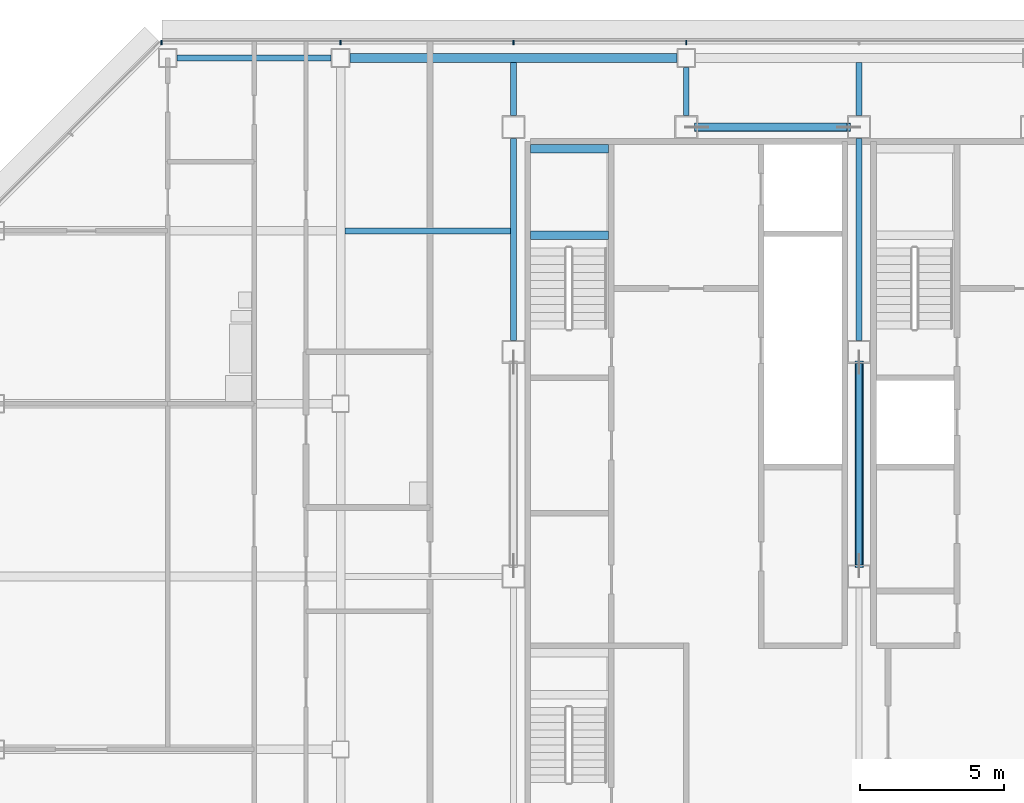
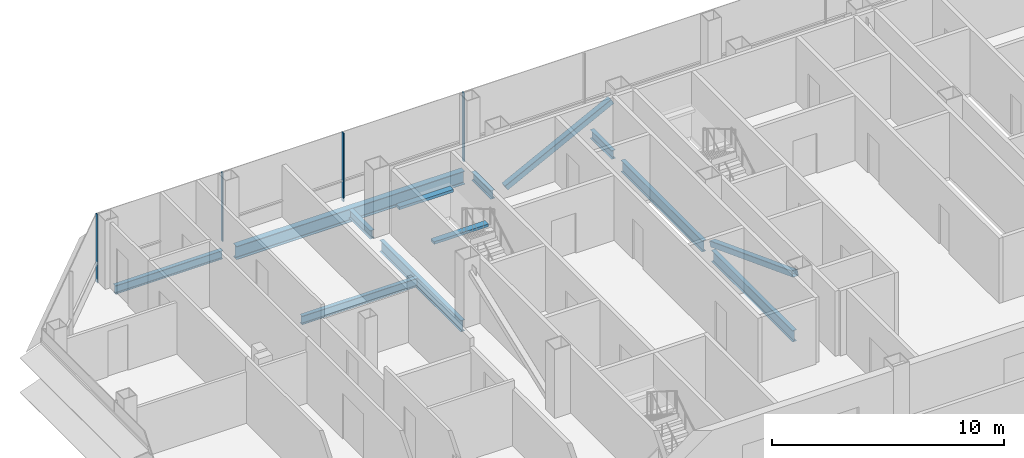
# One storey, part 12 of 27: 11 beams, 6 members, 1 element without a shape of its own.
"""IFC4 building model written with IfcOpenShell, lengths in metres."""

from ifc_helpers import new_model, si_unit, direction, frame, origin, origin_2d, place, context, subcontext, project, spatial, rectangle, hollow_rectangle, i_section, extrude, material, material_profile, profile_set, type_object, element, aggregate, save


model = new_model("IFC4")

# Units and contexts
model_context = context("Model", 3, precision=1e-05, world=origin(), true_north=direction((0.0, 1.0)))
body_context = subcontext(model_context, "Body", "Model", "MODEL_VIEW")
ifc_project = project(units=[si_unit("LENGTHUNIT", "METRE"), si_unit("AREAUNIT", "SQUARE_METRE"), si_unit("VOLUMEUNIT", "CUBIC_METRE"), si_unit("PLANEANGLEUNIT", "RADIAN"), si_unit("MASSUNIT", "GRAM", prefix="KILO")], contexts=[model_context])

# Site, building, storey
site_placement = place(None, origin())
site = spatial("IfcSite", under=ifc_project, at=site_placement, CompositionType="ELEMENT")
building_placement = place(site_placement, origin())
building = spatial("IfcBuilding", under=site, at=building_placement, Name="Sorahane Residences", CompositionType="ELEMENT")
storey_placement = place(building_placement, frame((0.0, 0.0, 239.60009765625)))
storey = spatial("IfcBuildingStorey", under=building, at=storey_placement, Name="L56", CompositionType="ELEMENT", Elevation=239.60009765625)

# Members
ifc_material_1 = material(Name="Steel Q355B", Category="steel")
ifc_material_profile_1 = material_profile(ifc_material_1, hollow_rectangle(XDim=0.300048828125, YDim=0.300048828125, WallThickness=0.01611328125, InnerFilletRadius=0.008056640625, OuterFilletRadius=0.02392578125, at=origin_2d()), Name="RHS 300x300x16")
ifc_profile_set_1 = profile_set([ifc_material_profile_1], Name="Steel Q355B")
member_type_1 = type_object("IfcMemberType", Name="Core brace RHS 300x300x16 Q355B", PredefinedType="BRACE", material=ifc_profile_set_1)
member_1_placement = place(storey_placement, frame((12.35888671875, 45.60009765625, 0.12890625), z_axis=(0.889590046837, 0.0, 0.45675983686), x_axis=(0.0, 1.0, 0.0)))
element("IfcMember", 1, at=member_1_placement, inside=storey, type_object=member_type_1, Name="Core brace L56 y45.6-2", PredefinedType="BRACE", context=body_context, shape_type="SweptSolid", body=[
    extrude(hollow_rectangle(XDim=0.300048828125, YDim=0.300048828125, WallThickness=0.01611328125, InnerFilletRadius=0.008056640625, OuterFilletRadius=0.02392578125, at=origin_2d()), origin(), (0.0, 0.0, 1.0), 5.937744140625),
])
member_2_placement = place(storey_placement, frame((18.0, 37.43212890625, 0.1376953125), z_axis=(0.0, -0.934346475268, 0.35636591329), x_axis=(1.0, 0.0, 0.0)))
element("IfcMember", 2, at=member_2_placement, inside=storey, type_object=member_type_1, Name="Core brace L56 x18-1", PredefinedType="BRACE", context=body_context, shape_type="SweptSolid", body=[
    extrude(hollow_rectangle(XDim=0.300048828125, YDim=0.300048828125, WallThickness=0.01611328125, InnerFilletRadius=0.008056640625, OuterFilletRadius=0.02392578125, at=origin_2d()), origin(), (0.0, 0.0, 1.0), 7.560546875),
])

# Curtain wall, members
ifc_material_2 = material(Name="Dark low-e glass and black anodised aluminium", Category="aluminium")
curtain_wall_type = type_object("IfcCurtainWallType", Name="Curtain wall CW-1 Typical unitised wall", PredefinedType="NOTDEFINED", material=ifc_material_2)
curtain_wall_placement = place(storey_placement, origin())
curtain_wall = element("IfcCurtainWall", 3, at=curtain_wall_placement, inside=storey, type_object=curtain_wall_type, Name="CW-1 curtain wall L56 N1", PredefinedType="NOTDEFINED")
ifc_material_3 = material(Name="Black anodised aluminium", Category="aluminium")
ifc_material_profile_2 = material_profile(ifc_material_3, rectangle(XDim=0.159912109375, YDim=0.050048828125, at=origin_2d()), Name="Curtain wall mullion CW-1 black anodised aluminium 50x160")
ifc_profile_set_2 = profile_set([ifc_material_profile_2], Name="Black anodised aluminium")
member_type_2 = type_object("IfcMemberType", Name="Curtain wall mullion CW-1 black anodised aluminium 50x160", PredefinedType="MULLION", material=ifc_profile_set_2)
member_3_placement = place(storey_placement, frame((12.0, 48.5400390625, -0.18017578125), z_axis=(0.0, 0.0, 1.0), x_axis=(0.0, 1.0, 0.0)))
member_3 = element("IfcMember", 4, at=member_3_placement, type_object=member_type_2, Name="CW-1 mullion L56 N1.7", PredefinedType="MULLION", context=body_context, shape_type="SweptSolid", body=[
    extrude(rectangle(XDim=0.159912109375, YDim=0.050048828125, at=origin_2d()), origin(), (0.0, 0.0, 1.0), 3.60009765625),
])
member_4_placement = place(storey_placement, frame((6.0, 48.5400390625, -0.18017578125), z_axis=(0.0, 0.0, 1.0), x_axis=(0.0, 1.0, 0.0)))
member_4 = element("IfcMember", 5, at=member_4_placement, type_object=member_type_2, Name="CW-1 mullion L56 N1.8", PredefinedType="MULLION", context=body_context, shape_type="SweptSolid", body=[
    extrude(rectangle(XDim=0.159912109375, YDim=0.050048828125, at=origin_2d()), origin(), (0.0, 0.0, 1.0), 3.60009765625),
])
member_5_placement = place(storey_placement, frame((0.0, 48.5400390625, -0.18017578125), z_axis=(0.0, 0.0, 1.0), x_axis=(0.0, 1.0, 0.0)))
member_5 = element("IfcMember", 6, at=member_5_placement, type_object=member_type_2, Name="CW-1 mullion L56 N1.9", PredefinedType="MULLION", context=body_context, shape_type="SweptSolid", body=[
    extrude(rectangle(XDim=0.159912109375, YDim=0.050048828125, at=origin_2d()), origin(), (0.0, 0.0, 1.0), 3.60009765625),
])
member_6_placement = place(storey_placement, frame((-6.2236328125, 48.5400390625, -0.18017578125), z_axis=(0.0, 0.0, 1.0), x_axis=(0.0, 1.0, 0.0)))
member_6 = element("IfcMember", 7, at=member_6_placement, type_object=member_type_2, Name="CW-1 mullion L56 N1.10", PredefinedType="MULLION", context=body_context, shape_type="SweptSolid", body=[
    extrude(rectangle(XDim=0.159912109375, YDim=0.050048828125, at=origin_2d()), origin(), (0.0, 0.0, 1.0), 3.60009765625),
])
aggregate(curtain_wall, [member_3, member_4, member_5, member_6])

# Beams
ifc_material_4 = material(Name="Concrete C40", Category="concrete")
ifc_material_profile_3 = material_profile(ifc_material_4, rectangle(XDim=0.300048828125, YDim=0.139892578125, at=origin_2d()), Name="300x140")
ifc_profile_set_3 = profile_set([ifc_material_profile_3], Name="Concrete C40")
beam_type_1 = type_object("IfcBeamType", Name="RC landing beam 300 x 140 Concrete C40", PredefinedType="BEAM", material=ifc_profile_set_3)
for number, where, z_axis, x_axis, name in (
    (8, (6.60009765625, 41.85009765625, 1.52978515625), (1.0, 0.0, 0.0), (0.0, 1.0, 0.0), "Landing beam"),
    (9, (6.60009765625, 44.85009765625, 1.52978515625), (1.0, 0.0, 0.0), (0.0, 1.0, 0.0), "Landing beam"),
):
    element("IfcBeam", number, at=place(storey_placement, frame(where, z_axis=z_axis, x_axis=x_axis)), inside=storey, type_object=beam_type_1, Name=name, PredefinedType="BEAM", context=body_context, shape_type="SweptSolid", body=[
        extrude(rectangle(XDim=0.300048828125, YDim=0.139892578125, at=origin_2d()), origin(), (0.0, 0.0, 1.0), 2.699951171875),
    ])
ifc_material_5 = material(Name="Steel Q355B", Category="steel")
ifc_material_profile_4 = material_profile(ifc_material_5, i_section(OverallWidth=0.199951171875, OverallDepth=0.449951171875, WebThickness=0.009033203125, FlangeThickness=0.013916015625, FilletRadius=0.02001953125, at=origin_2d()), Name="HN 450x200x9x14")
ifc_profile_set_4 = profile_set([ifc_material_profile_4], Name="Steel Q355B")
beam_type_2 = type_object("IfcBeamType", Name="Steel floor beam HN 450x200x9x14 Q355B", PredefinedType="BEAM", material=ifc_profile_set_4)
beam_1_placement = place(storey_placement, frame((-5.675048828125, 48.0, -0.405029296875), z_axis=(1.0, 0.0, 0.0), x_axis=(0.0, 1.0, 0.0)))
element("IfcBeam", 10, at=beam_1_placement, inside=storey, type_object=beam_type_2, Name="Beam L56 015", PredefinedType="BEAM", context=body_context, shape_type="SweptSolid", body=[
    extrude(i_section(OverallWidth=0.199951171875, OverallDepth=0.449951171875, WebThickness=0.009033203125, FlangeThickness=0.013916015625, FilletRadius=0.02001953125, at=origin_2d()), origin(), (0.0, 0.0, 1.0), 5.35009765625),
])
beam_2_placement = place(storey_placement, frame((6.0, 46.0, -0.405029296875), z_axis=(0.0, 1.0, 0.0), x_axis=(-1.0, 0.0, 0.0)))
element("IfcBeam", 11, at=beam_2_placement, inside=storey, type_object=beam_type_2, Name="Beam L56 033", PredefinedType="BEAM", context=body_context, shape_type="SweptSolid", body=[
    extrude(i_section(OverallWidth=0.199951171875, OverallDepth=0.449951171875, WebThickness=0.009033203125, FlangeThickness=0.013916015625, FilletRadius=0.02001953125, at=origin_2d()), origin(), (0.0, 0.0, 1.0), 1.85009765625),
])
beam_3_placement = place(storey_placement, frame((12.0, 46.0, -0.405029296875), z_axis=(0.0, 1.0, 0.0), x_axis=(-1.0, 0.0, 0.0)))
element("IfcBeam", 12, at=beam_3_placement, inside=storey, type_object=beam_type_2, Name="Beam L56 035", PredefinedType="BEAM", context=body_context, shape_type="SweptSolid", body=[
    extrude(i_section(OverallWidth=0.199951171875, OverallDepth=0.449951171875, WebThickness=0.009033203125, FlangeThickness=0.013916015625, FilletRadius=0.02001953125, at=origin_2d()), origin(), (0.0, 0.0, 1.0), 1.675048828125),
])
beam_4_placement = place(storey_placement, frame((18.0, 46.0, -0.405029296875), z_axis=(0.0, 1.0, 0.0), x_axis=(-1.0, 0.0, 0.0)))
element("IfcBeam", 13, at=beam_4_placement, inside=storey, type_object=beam_type_2, Name="Beam L56 041", PredefinedType="BEAM", context=body_context, shape_type="SweptSolid", body=[
    extrude(i_section(OverallWidth=0.199951171875, OverallDepth=0.449951171875, WebThickness=0.009033203125, FlangeThickness=0.013916015625, FilletRadius=0.02001953125, at=origin_2d()), origin(), (0.0, 0.0, 1.0), 1.85009765625),
])
beam_5_placement = place(storey_placement, frame((0.14990234375, 42.0, -0.405029296875), z_axis=(1.0, 0.0, 0.0), x_axis=(0.0, 1.0, 0.0)))
element("IfcBeam", 14, at=beam_5_placement, inside=storey, type_object=beam_type_2, Name="Beam L56 090", PredefinedType="BEAM", context=body_context, shape_type="SweptSolid", body=[
    extrude(i_section(OverallWidth=0.199951171875, OverallDepth=0.449951171875, WebThickness=0.009033203125, FlangeThickness=0.013916015625, FilletRadius=0.02001953125, at=origin_2d()), origin(), (0.0, 0.0, 1.0), 5.75),
])
ifc_material_6 = material(Name="Steel Q355B", Category="steel")
ifc_material_profile_5 = material_profile(ifc_material_6, i_section(OverallWidth=0.199951171875, OverallDepth=0.60009765625, WebThickness=0.010986328125, FlangeThickness=0.01708984375, FilletRadius=0.02392578125, at=origin_2d()), Name="HN 600x200x11x17")
ifc_profile_set_5 = profile_set([ifc_material_profile_5], Name="Steel Q355B")
beam_type_3 = type_object("IfcBeamType", Name="Steel floor beam HN 600x200x11x17 Q355B", PredefinedType="BEAM", material=ifc_profile_set_5)
for number, where, z_axis, x_axis, name in (
    (15, (6.0, 38.199951171875, -0.47998046875), (0.0, 1.0, 0.0), (-1.0, 0.0, 0.0), "Beam L56 032"),
    (16, (18.0, 30.39990234375, -0.47998046875), (0.0, 1.0, 0.0), (-1.0, 0.0, 0.0), "Beam L56 039"),
    (17, (18.0, 38.199951171875, -0.47998046875), (0.0, 1.0, 0.0), (-1.0, 0.0, 0.0), "Beam L56 040"),
):
    element("IfcBeam", number, at=place(storey_placement, frame(where, z_axis=z_axis, x_axis=x_axis)), inside=storey, type_object=beam_type_3, Name=name, PredefinedType="BEAM", context=body_context, shape_type="SweptSolid", body=[
        extrude(i_section(OverallWidth=0.199951171875, OverallDepth=0.60009765625, WebThickness=0.010986328125, FlangeThickness=0.01708984375, FilletRadius=0.02392578125, at=origin_2d()), origin(), (0.0, 0.0, 1.0), 7.0),
    ])
ifc_material_7 = material(Name="Steel Q355B", Category="steel")
ifc_material_profile_6 = material_profile(ifc_material_7, i_section(OverallWidth=0.300048828125, OverallDepth=0.699951171875, WebThickness=0.012939453125, FlangeThickness=0.02392578125, FilletRadius=0.028076171875, at=origin_2d()), Name="HN 700x300x13x24")
ifc_profile_set_6 = profile_set([ifc_material_profile_6], Name="Steel Q355B")
beam_type_4 = type_object("IfcBeamType", Name="Steel floor beam HN 700x300x13x24 Q355B", PredefinedType="BEAM", material=ifc_profile_set_6)
beam_6_placement = place(storey_placement, frame((0.324951171875, 48.0, -0.530029296875), z_axis=(1.0, 0.0, 0.0), x_axis=(0.0, 1.0, 0.0)))
element("IfcBeam", 18, at=beam_6_placement, inside=storey, type_object=beam_type_4, Name="Beam L56 016", PredefinedType="BEAM", context=body_context, shape_type="SweptSolid", body=[
    extrude(i_section(OverallWidth=0.300048828125, OverallDepth=0.699951171875, WebThickness=0.012939453125, FlangeThickness=0.02392578125, FilletRadius=0.028076171875, at=origin_2d()), origin(), (0.0, 0.0, 1.0), 11.35009765625),
])

save(model, "model.ifc")
